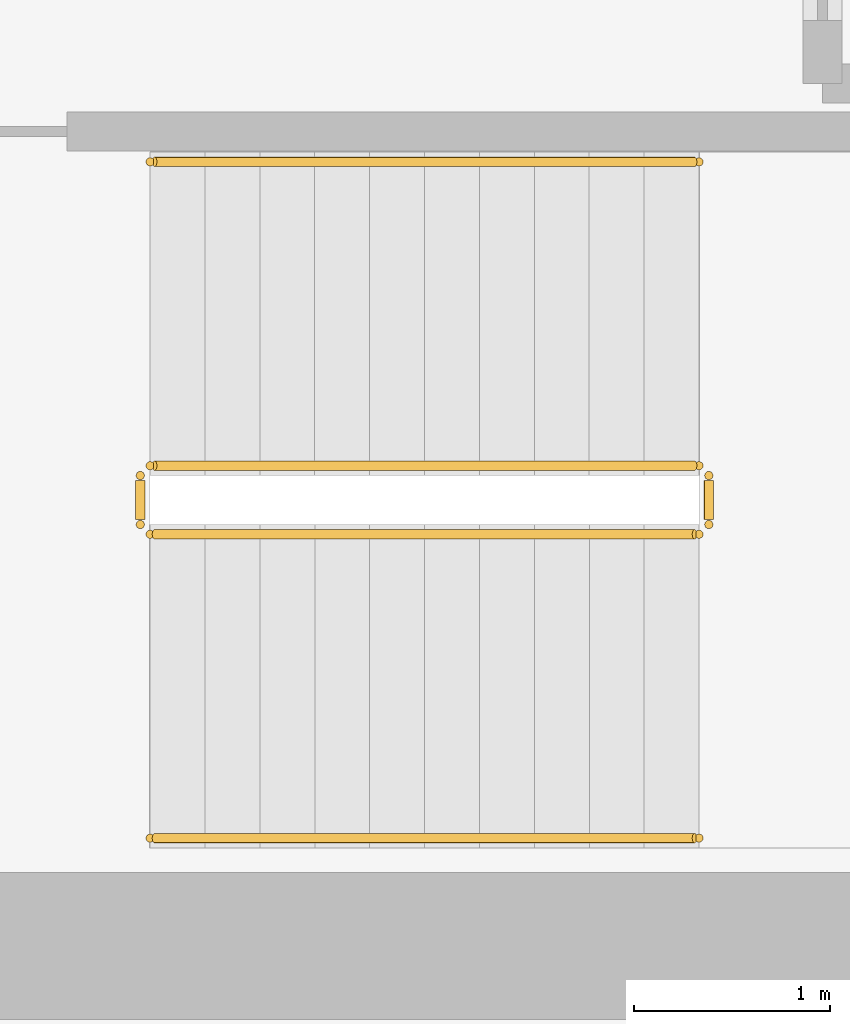
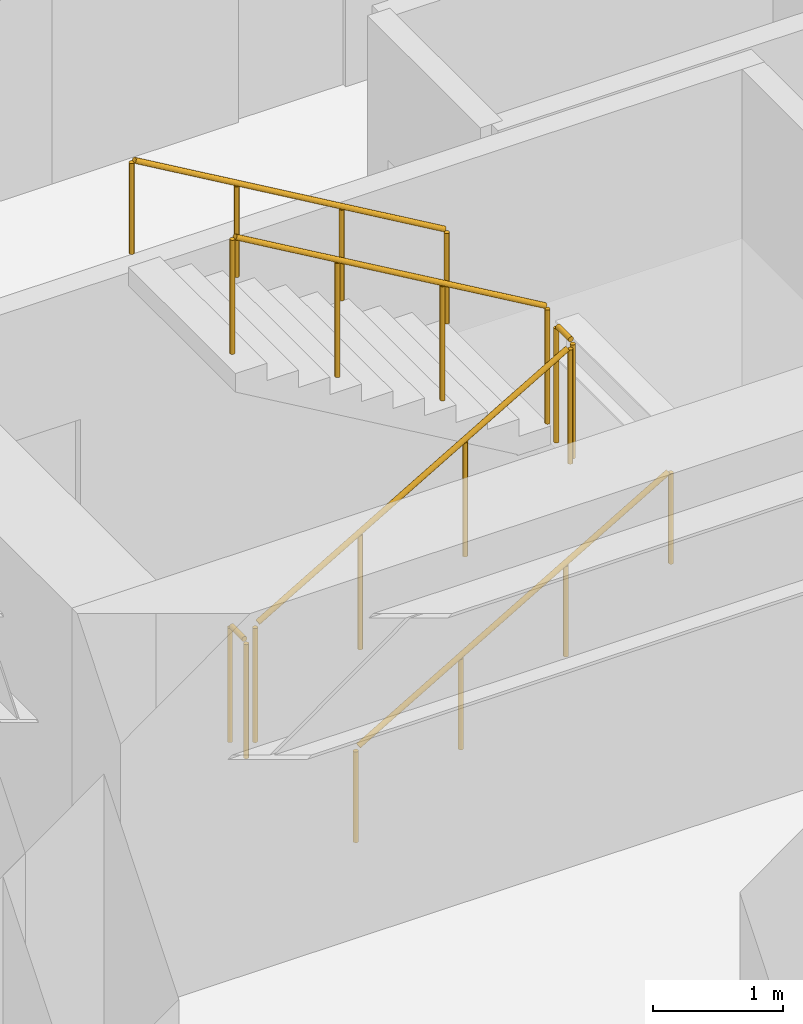
# One storey, part 11 of 11: 6 railings.
"""IFC4 building model written with IfcOpenShell, lengths in metres."""

from ifc_helpers import new_model, si_unit, direction, frame, origin, origin_2d, place, context, subcontext, project, spatial, circle, extrude, source, transform, mapped, material, layer, layer_set, type_object, element, save


model = new_model("IFC4")

# Units and contexts
model_context = context("Model", 3, precision=1e-05, world=origin(), true_north=direction((0.0, 1.0)))
body_context = subcontext(model_context, "Body", "Model", "MODEL_VIEW")
ifc_project = project(units=[si_unit("LENGTHUNIT", "METRE"), si_unit("AREAUNIT", "SQUARE_METRE"), si_unit("VOLUMEUNIT", "CUBIC_METRE"), si_unit("PLANEANGLEUNIT", "RADIAN"), si_unit("MASSUNIT", "GRAM", prefix="KILO")], contexts=[model_context])

# Site, building, storey
site_placement = place(None, origin())
site = spatial("IfcSite", under=ifc_project, at=site_placement, CompositionType="ELEMENT")
building_placement = place(site_placement, origin())
building = spatial("IfcBuilding", under=site, at=building_placement, Name="Kharzan Plaza Tower", CompositionType="ELEMENT")
storey_placement = place(building_placement, frame((0.0, 0.0, 84.60009765625)))
storey = spatial("IfcBuildingStorey", under=building, at=storey_placement, Name="L22", CompositionType="ELEMENT", Elevation=84.60009765625)

# Railings
ifc_material_1 = material(Name="Painted Galvanized Architectural Steel", Category="steel")
ifc_layer_1 = layer(ifc_material_1, 0.074951171875)
ifc_layer_set_1 = layer_set([ifc_layer_1], Name="Painted Galvanized Architectural Steel")
railing_type_1 = type_object("IfcRailingType", Name="RL-GUARD-1120", PredefinedType="BALUSTRADE", material=ifc_layer_set_1)
shared_shape_1 = source(origin(), body_context, "Body", "SweptSolid", [
    extrude(circle(Radius=0.02392578125, at=origin_2d()), frame((0.0, 0.0263671875, 1.09619140625), z_axis=(0.0, 1.0, 0.0), x_axis=(-1.0, 0.0, 0.0)), (0.0, 0.0, 1.0), 0.197021484375),
    extrude(circle(Radius=0.02099609375, at=origin_2d()), origin(), (0.0, 0.0, 1.0), 1.072021484375),
    extrude(circle(Radius=0.02099609375, at=origin_2d()), frame((0.0, 0.25, 0.0)), (0.0, 0.0, 1.0), 1.072021484375),
])
for number, where, name in (
    (1, (41.10009765625, 6.64990234375, 1.7998046875), "L22 ST-3 stair guard 2"),
    (2, (38.199951171875, 6.64990234375, 0.0), "L22 ST-3 stair guard 4"),
):
    element("IfcRailing", number, at=place(storey_placement, frame(where)), inside=storey, type_object=railing_type_1, Name=name, PredefinedType="BALUSTRADE", context=body_context, shape_type="MappedRepresentation", body=[
        mapped(shared_shape_1, transform((0.0, 0.0, 0.0), x_axis=(1.0, 0.0, 0.0), y_axis=(0.0, 1.0, 0.0), z_axis=(0.0, 0.0, 1.0))),
    ])
shared_shape_2 = source(origin(), body_context, "Body", "SweptSolid", [
    extrude(circle(Radius=0.02392578125, at=origin_2d()), frame((0.02294921875, 0.0, 1.109375), z_axis=(0.863393664356, 0.0, 0.504530851732), x_axis=(0.0, 1.0, 0.0)), (0.0, 0.0, 1.0), 3.190185546875),
    extrude(circle(Radius=0.02099609375, at=origin_2d()), origin(), (0.0, 0.0, 1.0), 1.072021484375),
    extrude(circle(Radius=0.02099609375, at=origin_2d()), frame((0.933349609375, 0.0, 0.54541015625)), (0.0, 0.0, 1.0), 1.072021484375),
    extrude(circle(Radius=0.02099609375, at=origin_2d()), frame((1.86669921875, 0.0, 1.0908203125)), (0.0, 0.0, 1.0), 1.072021484375),
    extrude(circle(Radius=0.02099609375, at=origin_2d()), frame((2.800048828125, 0.0, 1.63623046875)), (0.0, 0.0, 1.0), 1.072021484375),
])
railing_1_placement = place(storey_placement, frame((38.25, 6.60009765625, 0.16357421875)))
element("IfcRailing", 3, at=railing_1_placement, inside=storey, type_object=railing_type_1, Name="L22 ST-3 stair guard 1", PredefinedType="BALUSTRADE", context=body_context, shape_type="MappedRepresentation", body=[
    mapped(shared_shape_2, transform((0.0, 0.0, 0.0), x_axis=(1.0, 0.0, 0.0), y_axis=(0.0, 1.0, 0.0), z_axis=(0.0, 0.0, 1.0))),
])
shared_shape_3 = source(origin(), body_context, "Body", "SweptSolid", [
    extrude(circle(Radius=0.02392578125, at=origin_2d()), frame((-0.02294921875, 0.0, 1.109375), z_axis=(-0.863393664356, 0.0, 0.504530851732), x_axis=(0.0, -1.0, 0.0)), (0.0, 0.0, 1.0), 3.190185546875),
    extrude(circle(Radius=0.02099609375, at=origin_2d()), origin(), (0.0, 0.0, 1.0), 1.072021484375),
    extrude(circle(Radius=0.02099609375, at=origin_2d()), frame((-0.933349609375, 0.0, 0.54541015625)), (0.0, 0.0, 1.0), 1.072021484375),
    extrude(circle(Radius=0.02099609375, at=origin_2d()), frame((-1.86669921875, 0.0, 1.0908203125)), (0.0, 0.0, 1.0), 1.072021484375),
    extrude(circle(Radius=0.02099609375, at=origin_2d()), frame((-2.800048828125, 0.0, 1.63623046875)), (0.0, 0.0, 1.0), 1.072021484375),
])
railing_2_placement = place(storey_placement, frame((41.050048828125, 6.949951171875, 1.963623046875)))
element("IfcRailing", 4, at=railing_2_placement, inside=storey, type_object=railing_type_1, Name="L22 ST-3 stair guard 3", PredefinedType="BALUSTRADE", context=body_context, shape_type="MappedRepresentation", body=[
    mapped(shared_shape_3, transform((0.0, 0.0, 0.0), x_axis=(1.0, 0.0, 0.0), y_axis=(0.0, 1.0, 0.0), z_axis=(0.0, 0.0, 1.0))),
])
ifc_material_2 = material(Name="Brushed Stainless Steel", Category="steel")
ifc_layer_2 = layer(ifc_material_2, 0.050048828125)
ifc_layer_set_2 = layer_set([ifc_layer_2], Name="Brushed Stainless Steel")
railing_type_2 = type_object("IfcRailingType", Name="RL-STAIR-HR920", PredefinedType="HANDRAIL", material=ifc_layer_set_2)
shared_shape_4 = source(origin(), body_context, "Body", "SweptSolid", [
    extrude(circle(Radius=0.02392578125, at=origin_2d()), frame((0.02294921875, 0.0, 0.88916015625), z_axis=(0.863393664356, 0.0, 0.504530851732), x_axis=(0.0, 1.0, 0.0)), (0.0, 0.0, 1.0), 3.190185546875),
    extrude(circle(Radius=0.02099609375, at=origin_2d()), origin(), (0.0, 0.0, 1.0), 0.851806640625),
    extrude(circle(Radius=0.02099609375, at=origin_2d()), frame((0.933349609375, 0.0, 0.54541015625)), (0.0, 0.0, 1.0), 0.851806640625),
    extrude(circle(Radius=0.02099609375, at=origin_2d()), frame((1.86669921875, 0.0, 1.0908203125)), (0.0, 0.0, 1.0), 0.851806640625),
    extrude(circle(Radius=0.02099609375, at=origin_2d()), frame((2.800048828125, 0.0, 1.63623046875)), (0.0, 0.0, 1.0), 0.851806640625),
])
railing_3_placement = place(storey_placement, frame((38.25, 5.050048828125, 0.16357421875)))
element("IfcRailing", 5, at=railing_3_placement, inside=storey, type_object=railing_type_2, Name="L22 ST-3 stair handrail 1", PredefinedType="HANDRAIL", context=body_context, shape_type="MappedRepresentation", body=[
    mapped(shared_shape_4, transform((0.0, 0.0, 0.0), x_axis=(1.0, 0.0, 0.0), y_axis=(0.0, 1.0, 0.0), z_axis=(0.0, 0.0, 1.0))),
])
shared_shape_5 = source(origin(), body_context, "Body", "SweptSolid", [
    extrude(circle(Radius=0.02392578125, at=origin_2d()), frame((-0.02294921875, 0.0, 0.88916015625), z_axis=(-0.863393664356, 0.0, 0.504530851732), x_axis=(0.0, -1.0, 0.0)), (0.0, 0.0, 1.0), 3.190185546875),
    extrude(circle(Radius=0.02099609375, at=origin_2d()), origin(), (0.0, 0.0, 1.0), 0.851806640625),
    extrude(circle(Radius=0.02099609375, at=origin_2d()), frame((-0.933349609375, 0.0, 0.54541015625)), (0.0, 0.0, 1.0), 0.851806640625),
    extrude(circle(Radius=0.02099609375, at=origin_2d()), frame((-1.86669921875, 0.0, 1.0908203125)), (0.0, 0.0, 1.0), 0.851806640625),
    extrude(circle(Radius=0.02099609375, at=origin_2d()), frame((-2.800048828125, 0.0, 1.63623046875)), (0.0, 0.0, 1.0), 0.851806640625),
])
railing_4_placement = place(storey_placement, frame((41.050048828125, 8.5, 1.963623046875)))
element("IfcRailing", 6, at=railing_4_placement, inside=storey, type_object=railing_type_2, Name="L22 ST-3 stair handrail 2", PredefinedType="HANDRAIL", context=body_context, shape_type="MappedRepresentation", body=[
    mapped(shared_shape_5, transform((0.0, 0.0, 0.0), x_axis=(1.0, 0.0, 0.0), y_axis=(0.0, 1.0, 0.0), z_axis=(0.0, 0.0, 1.0))),
])

save(model, "model.ifc")
